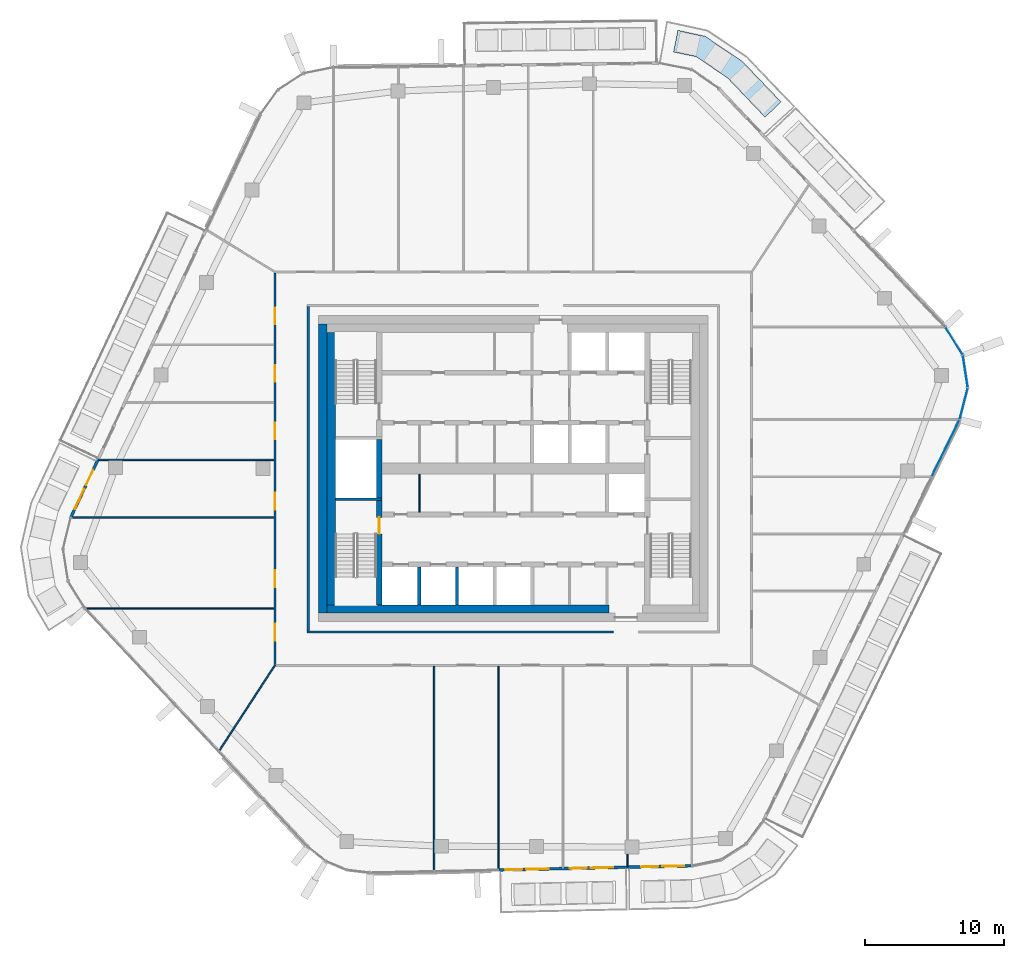
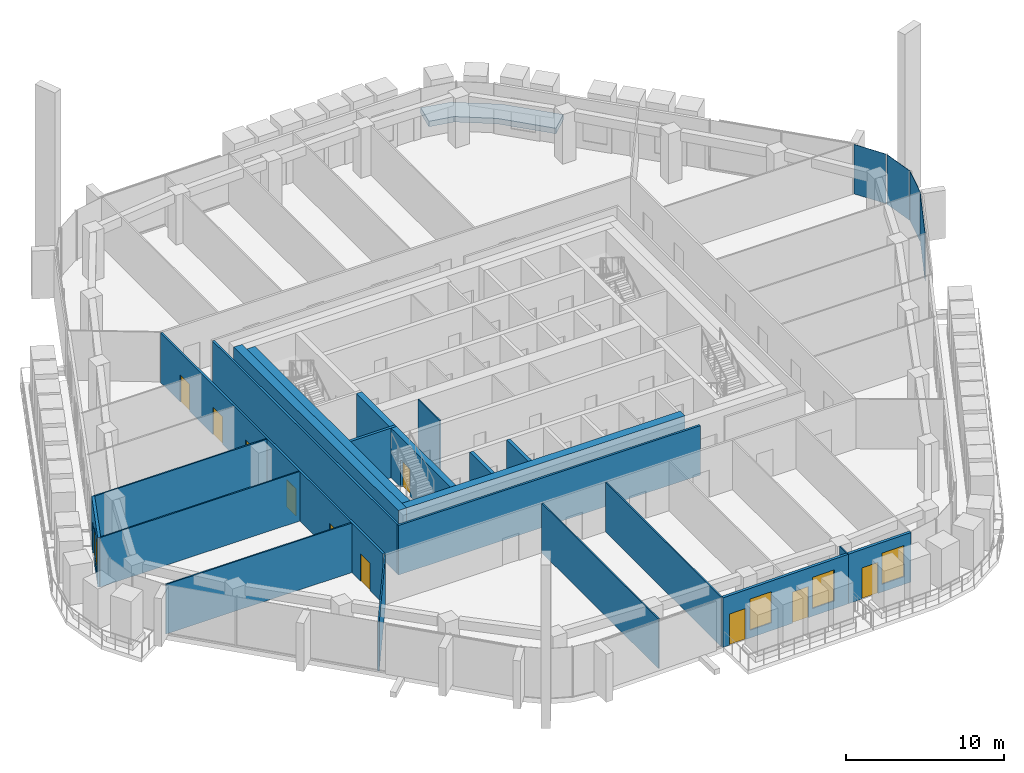
# One storey, part 12 of 24: 22 walls, 11 doors, 4 plates, 4 windows, 1 slab, 15 openings, 2 elements without a shape of their own.
"""IFC4 building model written with IfcOpenShell, lengths in metres."""

from ifc_helpers import new_model, si_unit, direction, frame, frame_2d, origin, origin_2d, place, context, subcontext, project, spatial, polyline, rectangle, outline, extrude, material, layer, layer_set, type_object, element, fill, aggregate, save


model = new_model("IFC4")

# Units and contexts
model_context = context("Model", 3, precision=1e-05, world=origin(), true_north=direction((0.0, 1.0)))
body_context = subcontext(model_context, "Body", "Model", "MODEL_VIEW")
ifc_project = project(units=[si_unit("LENGTHUNIT", "METRE"), si_unit("AREAUNIT", "SQUARE_METRE"), si_unit("VOLUMEUNIT", "CUBIC_METRE"), si_unit("PLANEANGLEUNIT", "RADIAN"), si_unit("MASSUNIT", "GRAM", prefix="KILO")], contexts=[model_context])

# Site, building, storey
site_placement = place(None, origin())
site = spatial("IfcSite", under=ifc_project, at=site_placement, CompositionType="ELEMENT")
building_placement = place(site_placement, origin())
building = spatial("IfcBuilding", under=site, at=building_placement, Name="Dongbaek Canopy Tower", CompositionType="ELEMENT")
storey_placement = place(building_placement, frame((0.0, 0.0, 332.0)))
storey = spatial("IfcBuildingStorey", under=building, at=storey_placement, Name="L71", CompositionType="ELEMENT", Elevation=332.0)

# Curtain wall, plates
ifc_material_1 = material(Name="Aluminium 6063-T6 pale anodised", Category="aluminium")
ifc_layer_1 = layer(ifc_material_1, 0.199951171875)
ifc_layer_set_1 = layer_set([ifc_layer_1], Name="CW-1 unitised tower curtain wall")
curtain_wall_type = type_object("IfcCurtainWallType", Name="CW-1 unitised tower curtain wall", PredefinedType="NOTDEFINED", material=ifc_layer_set_1)
curtain_wall_1_placement = place(storey_placement, origin())
curtain_wall_1 = element("IfcCurtainWall", 1, at=curtain_wall_1_placement, inside=storey, type_object=curtain_wall_type, Name="CW-1 curtain wall K0.1", PredefinedType="NOTDEFINED")
ifc_material_2 = material(Name="Clear laminated glass", Category="glass")
ifc_layer_2 = layer(ifc_material_2, 0.028076171875)
ifc_layer_set_2 = layer_set([ifc_layer_2], Name="CW-1 glazed panel 28")
plate_type = type_object("IfcPlateType", Name="CW-1 glazed panel 28", PredefinedType="CURTAIN_PANEL", material=ifc_layer_set_2)
plate_1_placement = place(storey_placement, frame((32.399169921875, 4.675048828125, 0.0), z_axis=(0.0, 0.0, 1.0), x_axis=(0.249737437294, 0.96831359198, 0.0)))
plate_1 = element("IfcPlate", 2, at=plate_1_placement, type_object=plate_type, Name="CW-1 panel K0.1.1.1", PredefinedType="CURTAIN_PANEL", context=body_context, shape_type="SweptSolid", body=[
    extrude(rectangle(XDim=2.298095703125, YDim=0.028076171875, at=origin_2d()), origin(), (0.0, 0.0, 1.0), 3.820068359375),
])
plate_2_placement = place(storey_placement, frame((32.5166015625, 7.00048828125, 0.0), z_axis=(0.0, 0.0, 1.0), x_axis=(-0.151904019597, 0.988395249296, 0.0)))
plate_2 = element("IfcPlate", 3, at=plate_2_placement, type_object=plate_type, Name="CW-1 panel K0.1.2.1", PredefinedType="CURTAIN_PANEL", context=body_context, shape_type="SweptSolid", body=[
    extrude(rectangle(XDim=2.287841796875, YDim=0.028076171875, at=origin_2d()), origin(), (0.0, 0.0, 1.0), 3.820068359375),
])
plate_3_placement = place(storey_placement, frame((31.706298828125, 9.18359375, 0.0), z_axis=(0.0, 0.0, 1.0), x_axis=(-0.528979690161, 0.848634483978, 0.0)))
plate_3 = element("IfcPlate", 4, at=plate_3_placement, type_object=plate_type, Name="CW-1 panel K0.1.3.1", PredefinedType="CURTAIN_PANEL", context=body_context, shape_type="SweptSolid", body=[
    extrude(rectangle(XDim=2.298095703125, YDim=0.028076171875, at=origin_2d()), origin(), (0.0, 0.0, 1.0), 3.820068359375),
])
aggregate(curtain_wall_1, [plate_1, plate_2, plate_3])

# Curtain wall, plate
curtain_wall_2_placement = place(storey_placement, origin())
curtain_wall_2 = element("IfcCurtainWall", 5, at=curtain_wall_2_placement, inside=storey, type_object=curtain_wall_type, Name="CW-1 curtain wall F5.1", PredefinedType="NOTDEFINED")
plate_4_placement = place(storey_placement, frame((31.09814453125, 1.469482421875, 0.1201171875), z_axis=(0.0, 0.0, 1.0), x_axis=(0.439337288093, 0.89832218457, 0.0)))
plate_4 = element("IfcPlate", 6, at=plate_4_placement, type_object=plate_type, Name="CW-1 panel F5.1.2.1", PredefinedType="CURTAIN_PANEL", context=body_context, shape_type="SweptSolid", body=[
    extrude(rectangle(XDim=4.485107421875, YDim=0.028076171875, at=origin_2d()), origin(), (0.0, 0.0, 1.0), 3.699951171875),
])
aggregate(curtain_wall_2, [plate_4])

# Slab
ifc_material_3 = material(Name="Reinforced concrete C40/50 planter box with soil", Category="concrete")
ifc_layer_3 = layer(ifc_material_3, 0.419921875)
ifc_layer_set_3 = layer_set([ifc_layer_3], Name="Terrace planter box 1600 x 420")
slab_type = type_object("IfcSlabType", Name="Terrace planter box 1600 x 420", PredefinedType="USERDEFINED", material=ifc_layer_set_3)
slab_placement = place(storey_placement, origin())
element("IfcSlab", 7, at=slab_placement, inside=storey, type_object=slab_type, Name="Balcony planter L71 6", ObjectType="PLANTER", PredefinedType="USERDEFINED", context=body_context, shape_type="SweptSolid", body=[
    extrude(outline(polyline([(18.107177734375, 25.281005859375), (15.435302734375, 28.086181640625), (13.182861328125, 29.626220703125), (11.53076171875, 29.968017578125), (11.837646484375, 31.538330078125), (13.804443359375, 31.1005859375), (16.4755859375, 29.3017578125), (19.26708984375, 26.383056640625), (18.107177734375, 25.281005859375)])), origin(), (0.0, 0.0, 1.0), 0.419921875),
])

# Walls
ifc_material_4 = material(Name="Concrete C80/95", Category="concrete")
ifc_layer_4 = layer(ifc_material_4, 0.60009765625)
ifc_layer_set_4 = layer_set([ifc_layer_4], Name="Core outer wall 600 Concrete C80/95")
wall_type_1 = type_object("IfcWallType", Name="Core outer wall 600 Concrete C80/95", PredefinedType="SHEAR", material=ifc_layer_set_4)
wall_1_placement = place(storey_placement, frame((-13.699951171875, -10.39990234375, 0.0), z_axis=(0.0, 0.0, 1.0), x_axis=(0.0, 1.0, 0.0)))
element("IfcWall", 8, at=wall_1_placement, inside=storey, type_object=wall_type_1, Name="Core wall", PredefinedType="SHEAR", context=body_context, shape_type="SweptSolid", body=[
    extrude(rectangle(XDim=20.7998046875, YDim=0.60009765625, at=frame_2d((10.39990234375, 0.0))), origin(), (0.0, 0.0, 1.0), 3.820068359375),
])
ifc_material_5 = material(Name="Concrete C60/75", Category="concrete")
ifc_layer_5 = layer(ifc_material_5, 0.60009765625)
ifc_layer_set_5 = layer_set([ifc_layer_5], Name="Core wall lining 600 Concrete C60/75")
wall_type_2 = type_object("IfcWallType", Name="Core wall lining 600 Concrete C60/75", PredefinedType="SHEAR", material=ifc_layer_set_5)
wall_2_placement = place(storey_placement, frame((6.89990234375, -10.10009765625, 0.0), z_axis=(0.0, 0.0, 1.0), x_axis=(-1.0, 0.0, 0.0)))
element("IfcWall", 9, at=wall_2_placement, inside=storey, type_object=wall_type_2, Name="Core wall lining", PredefinedType="SHEAR", context=body_context, shape_type="SweptSolid", body=[
    extrude(rectangle(XDim=20.2998046875, YDim=0.60009765625, at=frame_2d((10.14990234375, 0.0))), origin(), (0.0, 0.0, 1.0), 3.820068359375),
])
wall_3_placement = place(storey_placement, frame((-13.10009765625, -9.800048828125, 0.0), z_axis=(0.0, 0.0, 1.0), x_axis=(0.0, 1.0, 0.0)))
element("IfcWall", 10, at=wall_3_placement, inside=storey, type_object=wall_type_2, Name="Core wall lining", PredefinedType="SHEAR", context=body_context, shape_type="SweptSolid", body=[
    extrude(rectangle(XDim=19.60009765625, YDim=0.60009765625, at=frame_2d((9.800048828125, 0.0))), origin(), (0.0, 0.0, 1.0), 3.820068359375),
])
ifc_material_6 = material(Name="Gypsum board partition, steel stud, 2 x 15 mm fire board", Category="steel")
ifc_layer_6 = layer(ifc_material_6, 0.14990234375)
ifc_layer_set_6 = layer_set([ifc_layer_6], Name="Fire-rated partition 150 gypsum board")
wall_type_3 = type_object("IfcWallType", Name="Fire-rated partition 150 gypsum board", PredefinedType="PARTITIONING", material=ifc_layer_set_6)
wall_4_placement = place(storey_placement, frame((-14.824951171875, -11.75, 0.0), z_axis=(0.0, 0.0, 1.0), x_axis=(1.0, 0.0, 0.0)))
element("IfcWall", 11, at=wall_4_placement, inside=storey, type_object=wall_type_3, Name="Corridor partition", PredefinedType="PARTITIONING", context=body_context, shape_type="SweptSolid", body=[
    extrude(rectangle(XDim=22.02490234375, YDim=0.14990234375, at=frame_2d((11.012451171875, 0.0))), origin(), (0.0, 0.0, 1.0), 3.820068359375),
])
wall_5_placement = place(storey_placement, frame((-14.75, -11.675048828125, 0.0), z_axis=(0.0, 0.0, 1.0), x_axis=(0.0, 1.0, 0.0)))
element("IfcWall", 12, at=wall_5_placement, inside=storey, type_object=wall_type_3, Name="Corridor partition", PredefinedType="PARTITIONING", context=body_context, shape_type="SweptSolid", body=[
    extrude(rectangle(XDim=23.35009765625, YDim=0.14990234375, at=frame_2d((11.675048828125, 0.0))), origin(), (0.0, 0.0, 1.0), 3.820068359375),
])

# Wall, openings, doors
wall_6_placement = place(storey_placement, frame((-17.14990234375, -14.074951171875, 0.0), z_axis=(0.0, 0.0, 1.0), x_axis=(0.0, 1.0, 0.0)))
wall_6 = element("IfcWall", 13, at=wall_6_placement, inside=storey, type_object=wall_type_3, Name="Corridor partition", PredefinedType="PARTITIONING", context=body_context, shape_type="SweptSolid", body=[
    extrude(rectangle(XDim=28.14990234375, YDim=0.14990234375, at=frame_2d((14.074951171875, 0.0))), origin(), (0.0, 0.0, 1.0), 3.820068359375),
])
opening_1_placement = place(wall_6_placement, frame((11.12158203125, 0.0, 0.0)))
opening_1 = element("IfcOpeningElement", 14, at=opening_1_placement, cuts=wall_6, Name="Opening L71-D001", PredefinedType="OPENING", context=body_context, shape_type="SweptSolid", body=[
    extrude(rectangle(XDim=1.199951171875, YDim=2.10009765625, at=frame_2d((0.60009765625, 1.050048828125))), frame((0.0, 0.0849609375, 0.0), z_axis=(0.0, -1.0, 0.0), x_axis=(1.0, 0.0, 0.0)), (0.0, 0.0, 1.0), 0.169921875),
])
opening_2_placement = place(wall_6_placement, frame((5.5546875, 0.0, 0.0)))
opening_2 = element("IfcOpeningElement", 15, at=opening_2_placement, cuts=wall_6, Name="Opening L71-D002", PredefinedType="OPENING", context=body_context, shape_type="SweptSolid", body=[
    extrude(rectangle(XDim=1.199951171875, YDim=2.10009765625, at=frame_2d((0.60009765625, 1.050048828125))), frame((0.0, 0.0849609375, 0.0), z_axis=(0.0, -1.0, 0.0), x_axis=(1.0, 0.0, 0.0)), (0.0, 0.0, 1.0), 0.169921875),
])
opening_3_placement = place(wall_6_placement, frame((1.699951171875, 0.0, 0.0)))
opening_3 = element("IfcOpeningElement", 16, at=opening_3_placement, cuts=wall_6, Name="Opening L71-D003", PredefinedType="OPENING", context=body_context, shape_type="SweptSolid", body=[
    extrude(rectangle(XDim=1.199951171875, YDim=2.10009765625, at=frame_2d((0.60009765625, 1.050048828125))), frame((0.0, 0.0849609375, 0.0), z_axis=(0.0, -1.0, 0.0), x_axis=(1.0, 0.0, 0.0)), (0.0, 0.0, 1.0), 0.169921875),
])
opening_4_placement = place(wall_6_placement, frame((24.456787109375, 0.0, 0.0)))
opening_4 = element("IfcOpeningElement", 17, at=opening_4_placement, cuts=wall_6, Name="Opening L71-D022", PredefinedType="OPENING", context=body_context, shape_type="SweptSolid", body=[
    extrude(rectangle(XDim=1.199951171875, YDim=2.10009765625, at=frame_2d((0.60009765625, 1.050048828125))), frame((0.0, 0.0849609375, 0.0), z_axis=(0.0, -1.0, 0.0), x_axis=(1.0, 0.0, 0.0)), (0.0, 0.0, 1.0), 0.169921875),
])
opening_5_placement = place(wall_6_placement, frame((20.314208984375, 0.0, 0.0)))
opening_5 = element("IfcOpeningElement", 18, at=opening_5_placement, cuts=wall_6, Name="Opening L71-D023", PredefinedType="OPENING", context=body_context, shape_type="SweptSolid", body=[
    extrude(rectangle(XDim=1.199951171875, YDim=2.10009765625, at=frame_2d((0.60009765625, 1.050048828125))), frame((0.0, 0.0849609375, 0.0), z_axis=(0.0, -1.0, 0.0), x_axis=(1.0, 0.0, 0.0)), (0.0, 0.0, 1.0), 0.169921875),
])
opening_6_placement = place(wall_6_placement, frame((16.172119140625, 0.0, 0.0)))
opening_6 = element("IfcOpeningElement", 19, at=opening_6_placement, cuts=wall_6, Name="Opening L71-D024", PredefinedType="OPENING", context=body_context, shape_type="SweptSolid", body=[
    extrude(rectangle(XDim=1.199951171875, YDim=2.10009765625, at=frame_2d((0.60009765625, 1.050048828125))), frame((0.0, 0.0849609375, 0.0), z_axis=(0.0, -1.0, 0.0), x_axis=(1.0, 0.0, 0.0)), (0.0, 0.0, 1.0), 0.169921875),
])
ifc_material_7 = material(Name="Timber veneered door leaf", Category="wood")
door_type_1 = type_object("IfcDoorType", Name="Room door 1200 x 2100", OperationType="SINGLE_SWING_LEFT", PredefinedType="DOOR", material=ifc_material_7)
door_1_placement = place(opening_1_placement, origin())
door_1 = element("IfcDoor", 20, at=door_1_placement, inside=storey, type_object=door_type_1, Name="Door L71-D001", OperationType="SINGLE_SWING_RIGHT", OverallHeight=2.10009765625, OverallWidth=1.199951171875, PredefinedType="DOOR", context=body_context, shape_type="SweptSolid", body=[
    extrude(rectangle(XDim=1.199951171875, YDim=2.10009765625, at=frame_2d((0.60009765625, 1.050048828125))), frame((0.0, 0.02490234375, 0.0), z_axis=(0.0, -1.0, 0.0), x_axis=(1.0, 0.0, 0.0)), (0.0, 0.0, 1.0), 0.050048828125),
])
fill(opening_1, door_1)
door_2_placement = place(opening_2_placement, origin())
door_2 = element("IfcDoor", 21, at=door_2_placement, inside=storey, type_object=door_type_1, Name="Door L71-D002", OperationType="SINGLE_SWING_LEFT", OverallHeight=2.10009765625, OverallWidth=1.199951171875, PredefinedType="DOOR", context=body_context, shape_type="SweptSolid", body=[
    extrude(rectangle(XDim=1.199951171875, YDim=2.10009765625, at=frame_2d((0.60009765625, 1.050048828125))), frame((0.0, 0.02490234375, 0.0), z_axis=(0.0, -1.0, 0.0), x_axis=(1.0, 0.0, 0.0)), (0.0, 0.0, 1.0), 0.050048828125),
])
fill(opening_2, door_2)
door_3_placement = place(opening_3_placement, origin())
door_3 = element("IfcDoor", 22, at=door_3_placement, inside=storey, type_object=door_type_1, Name="Door L71-D003", OperationType="SINGLE_SWING_RIGHT", OverallHeight=2.10009765625, OverallWidth=1.199951171875, PredefinedType="DOOR", context=body_context, shape_type="SweptSolid", body=[
    extrude(rectangle(XDim=1.199951171875, YDim=2.10009765625, at=frame_2d((0.60009765625, 1.050048828125))), frame((0.0, 0.02490234375, 0.0), z_axis=(0.0, -1.0, 0.0), x_axis=(1.0, 0.0, 0.0)), (0.0, 0.0, 1.0), 0.050048828125),
])
fill(opening_3, door_3)
door_4_placement = place(opening_4_placement, origin())
door_4 = element("IfcDoor", 23, at=door_4_placement, inside=storey, type_object=door_type_1, Name="Door L71-D022", OperationType="SINGLE_SWING_LEFT", OverallHeight=2.10009765625, OverallWidth=1.199951171875, PredefinedType="DOOR", context=body_context, shape_type="SweptSolid", body=[
    extrude(rectangle(XDim=1.199951171875, YDim=2.10009765625, at=frame_2d((0.60009765625, 1.050048828125))), frame((0.0, 0.02490234375, 0.0), z_axis=(0.0, -1.0, 0.0), x_axis=(1.0, 0.0, 0.0)), (0.0, 0.0, 1.0), 0.050048828125),
])
fill(opening_4, door_4)
door_5_placement = place(opening_5_placement, origin())
door_5 = element("IfcDoor", 24, at=door_5_placement, inside=storey, type_object=door_type_1, Name="Door L71-D023", OperationType="SINGLE_SWING_RIGHT", OverallHeight=2.10009765625, OverallWidth=1.199951171875, PredefinedType="DOOR", context=body_context, shape_type="SweptSolid", body=[
    extrude(rectangle(XDim=1.199951171875, YDim=2.10009765625, at=frame_2d((0.60009765625, 1.050048828125))), frame((0.0, 0.02490234375, 0.0), z_axis=(0.0, -1.0, 0.0), x_axis=(1.0, 0.0, 0.0)), (0.0, 0.0, 1.0), 0.050048828125),
])
fill(opening_5, door_5)
door_6_placement = place(opening_6_placement, origin())
door_6 = element("IfcDoor", 25, at=door_6_placement, inside=storey, type_object=door_type_1, Name="Door L71-D024", OperationType="SINGLE_SWING_LEFT", OverallHeight=2.10009765625, OverallWidth=1.199951171875, PredefinedType="DOOR", context=body_context, shape_type="SweptSolid", body=[
    extrude(rectangle(XDim=1.199951171875, YDim=2.10009765625, at=frame_2d((0.60009765625, 1.050048828125))), frame((0.0, 0.02490234375, 0.0), z_axis=(0.0, -1.0, 0.0), x_axis=(1.0, 0.0, 0.0)), (0.0, 0.0, 1.0), 0.050048828125),
])
fill(opening_6, door_6)

# Walls
ifc_material_8 = material(Name="Concrete C40/50", Category="concrete")
ifc_layer_7 = layer(ifc_material_8, 0.25)
ifc_layer_set_7 = layer_set([ifc_layer_7], Name="Lift shaft wall 250 Concrete C40/50")
wall_type_4 = type_object("IfcWallType", Name="Lift shaft wall 250 Concrete C40/50", PredefinedType="SOLIDWALL", material=ifc_layer_set_7)
for number, where, z_axis, x_axis, name in (
    (26, (-4.050048828125, -9.800048828125, 0.0), (0.0, 0.0, 1.0), (0.0, 1.0, 0.0), "Lift shaft wall"),
    (27, (-6.75, -9.800048828125, 0.0), (0.0, 0.0, 1.0), (0.0, 1.0, 0.0), "Lift shaft wall"),
):
    element("IfcWall", number, at=place(storey_placement, frame(where, z_axis=z_axis, x_axis=x_axis)), inside=storey, type_object=wall_type_4, Name=name, PredefinedType="SOLIDWALL", context=body_context, shape_type="SweptSolid", body=[
        extrude(rectangle(XDim=2.72509765625, YDim=0.25, at=frame_2d((1.362548828125, 0.0))), origin(), (0.0, 0.0, 1.0), 3.820068359375),
    ])
ifc_material_9 = material(Name="Gypsum board partition, steel stud, 2 x 12.5 mm board", Category="steel")
ifc_layer_8 = layer(ifc_material_9, 0.10009765625)
ifc_layer_set_8 = layer_set([ifc_layer_8], Name="Partition 100 gypsum board")
wall_type_5 = type_object("IfcWallType", Name="Partition 100 gypsum board", PredefinedType="PARTITIONING", material=ifc_layer_set_8)
wall_7_placement = place(storey_placement, frame((-30.773193359375, -10.06396484375, 0.0), z_axis=(0.0, 0.0, 1.0), x_axis=(1.0, 0.0, 0.0)))
element("IfcWall", 28, at=wall_7_placement, inside=storey, type_object=wall_type_5, Name="Partition", PredefinedType="PARTITIONING", context=body_context, shape_type="SweptSolid", body=[
    extrude(rectangle(XDim=13.548095703125, YDim=0.10009765625, at=frame_2d((6.77392578125, 0.0))), origin(), (0.0, 0.0, 1.0), 3.820068359375),
])
wall_8_placement = place(storey_placement, frame((-31.810791015625, -3.507080078125, 0.0), z_axis=(0.0, 0.0, 1.0), x_axis=(1.0, 0.0, 0.0)))
element("IfcWall", 29, at=wall_8_placement, inside=storey, type_object=wall_type_5, Name="Partition", PredefinedType="PARTITIONING", context=body_context, shape_type="SweptSolid", body=[
    extrude(rectangle(XDim=14.585693359375, YDim=0.10009765625, at=frame_2d((7.29296875, 0.0))), origin(), (0.0, 0.0, 1.0), 3.820068359375),
])
wall_9_placement = place(storey_placement, frame((-29.867431640625, 0.6259765625, 0.0), z_axis=(0.0, 0.0, 1.0), x_axis=(1.0, 0.0, 0.0)))
element("IfcWall", 30, at=wall_9_placement, inside=storey, type_object=wall_type_5, Name="Partition", PredefinedType="PARTITIONING", context=body_context, shape_type="SweptSolid", body=[
    extrude(rectangle(XDim=12.642333984375, YDim=0.10009765625, at=frame_2d((6.3212890625, 0.0))), origin(), (0.0, 0.0, 1.0), 3.820068359375),
])
wall_10_placement = place(storey_placement, frame((-21.17578125, -20.328125, 0.0), z_axis=(0.0, 0.0, 1.0), x_axis=(0.5459597113, 0.837811430834, 0.0)))
element("IfcWall", 31, at=wall_10_placement, inside=storey, type_object=wall_type_5, Name="Partition", PredefinedType="PARTITIONING", context=body_context, shape_type="SweptSolid", body=[
    extrude(rectangle(XDim=7.3740234375, YDim=0.10009765625, at=frame_2d((3.68701171875, 0.0))), origin(), (0.0, 0.0, 1.0), 3.820068359375),
])
wall_11_placement = place(storey_placement, frame((8.214111328125, -28.651611328125, 0.0), z_axis=(0.0, 0.0, 1.0), x_axis=(0.0, 1.0, 0.0)))
element("IfcWall", 32, at=wall_11_placement, inside=storey, type_object=wall_type_5, Name="Partition", PredefinedType="PARTITIONING", context=body_context, shape_type="SweptSolid", body=[
    extrude(rectangle(XDim=0.924560546875, YDim=0.10009765625, at=frame_2d((0.46240234375, 0.0))), origin(), (0.0, 0.0, 1.0), 3.820068359375),
])
wall_12_placement = place(storey_placement, frame((-1.06103515625, -28.852783203125, 0.0), z_axis=(0.0, 0.0, 1.0), x_axis=(0.0, 1.0, 0.0)))
element("IfcWall", 33, at=wall_12_placement, inside=storey, type_object=wall_type_5, Name="Partition", PredefinedType="PARTITIONING", context=body_context, shape_type="SweptSolid", body=[
    extrude(rectangle(XDim=14.627685546875, YDim=0.10009765625, at=frame_2d((7.31396484375, 0.0))), origin(), (0.0, 0.0, 1.0), 3.820068359375),
])
wall_13_placement = place(storey_placement, frame((-5.698974609375, -28.953125, 0.0), z_axis=(0.0, 0.0, 1.0), x_axis=(0.0, 1.0, 0.0)))
element("IfcWall", 34, at=wall_13_placement, inside=storey, type_object=wall_type_5, Name="Partition", PredefinedType="PARTITIONING", context=body_context, shape_type="SweptSolid", body=[
    extrude(rectangle(XDim=14.72802734375, YDim=0.10009765625, at=frame_2d((7.364013671875, 0.0))), origin(), (0.0, 0.0, 1.0), 3.820068359375),
])
wall_14_placement = place(storey_placement, frame((-6.75, -3.125, 0.0), z_axis=(0.0, 0.0, 1.0), x_axis=(0.0, 1.0, 0.0)))
element("IfcWall", 35, at=wall_14_placement, inside=storey, type_object=wall_type_5, Name="Core partition", PredefinedType="PARTITIONING", context=body_context, shape_type="SweptSolid", body=[
    extrude(rectangle(XDim=2.72509765625, YDim=0.10009765625, at=frame_2d((1.362548828125, 0.0))), origin(), (0.0, 0.0, 1.0), 3.820068359375),
])
ifc_material_10 = material(Name="Concrete C60/75", Category="concrete")
ifc_layer_9 = layer(ifc_material_10, 0.199951171875)
ifc_layer_set_9 = layer_set([ifc_layer_9], Name="Riser wall 200 Concrete C60/75")
wall_type_6 = type_object("IfcWallType", Name="Riser wall 200 Concrete C60/75", PredefinedType="SHEAR", material=ifc_layer_set_9)
wall_15_placement = place(storey_placement, frame((-9.449951171875, -2.199951171875, 0.0), z_axis=(0.0, 0.0, 1.0), x_axis=(-1.0, 0.0, 0.0)))
element("IfcWall", 36, at=wall_15_placement, inside=storey, type_object=wall_type_6, Name="Riser wall", PredefinedType="SHEAR", context=body_context, shape_type="SweptSolid", body=[
    extrude(rectangle(XDim=3.35009765625, YDim=0.199951171875, at=frame_2d((1.675048828125, 0.0))), origin(), (0.0, 0.0, 1.0), 3.820068359375),
])

# Wall, opening, door
ifc_material_11 = material(Name="Concrete C60/75", Category="concrete")
ifc_layer_10 = layer(ifc_material_11, 0.39990234375)
ifc_layer_set_10 = layer_set([ifc_layer_10], Name="Stair wall 400 Concrete C60/75")
wall_type_7 = type_object("IfcWallType", Name="Stair wall 400 Concrete C60/75", PredefinedType="SHEAR", material=ifc_layer_set_10)
wall_16_placement = place(storey_placement, frame((-9.64990234375, -9.800048828125, 0.0), z_axis=(0.0, 0.0, 1.0), x_axis=(0.0, 1.0, 0.0)))
wall_16 = element("IfcWall", 37, at=wall_16_placement, inside=storey, type_object=wall_type_7, Name="Stair wall", PredefinedType="SHEAR", context=body_context, shape_type="SweptSolid", body=[
    extrude(rectangle(XDim=7.5, YDim=0.39990234375, at=frame_2d((3.75, 0.0))), origin(), (0.0, 0.0, 1.0), 3.820068359375),
])
opening_7_placement = place(wall_16_placement, frame((5.10009765625, 0.0, 0.0)))
opening_7 = element("IfcOpeningElement", 38, at=opening_7_placement, cuts=wall_16, Name="Opening L71-D055", PredefinedType="OPENING", context=body_context, shape_type="SweptSolid", body=[
    extrude(rectangle(XDim=1.199951171875, YDim=2.10009765625, at=frame_2d((0.60009765625, 1.050048828125))), frame((0.0, 0.2099609375, 0.0), z_axis=(0.0, -1.0, 0.0), x_axis=(1.0, 0.0, 0.0)), (0.0, 0.0, 1.0), 0.419921875),
])
ifc_material_12 = material(Name="Steel", Category="steel")
door_type_2 = type_object("IfcDoorType", Name="Stair door 1200 x 2100", OperationType="SINGLE_SWING_LEFT", PredefinedType="DOOR", material=ifc_material_12)
door_7_placement = place(opening_7_placement, origin())
door_7 = element("IfcDoor", 39, at=door_7_placement, inside=storey, type_object=door_type_2, Name="Stair D door", OperationType="SINGLE_SWING_LEFT", OverallHeight=2.10009765625, OverallWidth=1.199951171875, PredefinedType="DOOR", context=body_context, shape_type="SweptSolid", body=[
    extrude(rectangle(XDim=1.199951171875, YDim=2.10009765625, at=frame_2d((0.60009765625, 1.050048828125))), frame((0.0, 0.02490234375, 0.0), z_axis=(0.0, -1.0, 0.0), x_axis=(1.0, 0.0, 0.0)), (0.0, 0.0, 1.0), 0.050048828125),
])
fill(opening_7, door_7)

# Wall
wall_17_placement = place(storey_placement, frame((-9.64990234375, -2.10009765625, 0.0), z_axis=(0.0, 0.0, 1.0), x_axis=(0.0, 1.0, 0.0)))
element("IfcWall", 40, at=wall_17_placement, inside=storey, type_object=wall_type_7, Name="Stair wall", PredefinedType="SHEAR", context=body_context, shape_type="SweptSolid", body=[
    extrude(rectangle(XDim=4.2001953125, YDim=0.39990234375, at=frame_2d((2.10009765625, 0.0))), origin(), (0.0, 0.0, 1.0), 3.820068359375),
])

# Wall, openings, door, window
ifc_material_13 = material(Name="Aluminium window wall", Category="aluminium")
ifc_layer_11 = layer(ifc_material_13, 0.199951171875)
ifc_layer_set_11 = layer_set([ifc_layer_11], Name="Window wall 200")
wall_type_8 = type_object("IfcWallType", Name="Window wall 200", PredefinedType="SOLIDWALL", material=ifc_layer_set_11)
wall_18_placement = place(storey_placement, frame((-29.889404296875, 0.625732421875, 0.0), z_axis=(0.0, 0.0, 1.0), x_axis=(-0.425531877643, -0.904943435309, 0.0)))
wall_18 = element("IfcWall", 41, at=wall_18_placement, inside=storey, type_object=wall_type_8, Name="Window wall L71 7", PredefinedType="SOLIDWALL", context=body_context, shape_type="SweptSolid", body=[
    extrude(rectangle(XDim=4.5673828125, YDim=0.199951171875, at=frame_2d((2.28369140625, 0.0))), origin(), (0.0, 0.0, 1.0), 3.820068359375),
])
opening_8_placement = place(wall_18_placement, frame((2.300048828125, 0.0, 0.60009765625)))
opening_8 = element("IfcOpeningElement", 42, at=opening_8_placement, cuts=wall_18, Name="Opening W1", PredefinedType="OPENING", context=body_context, shape_type="SweptSolid", body=[
    extrude(rectangle(XDim=1.60009765625, YDim=2.39990234375, at=frame_2d((0.800048828125, 1.199951171875))), frame((0.0, 0.10986328125, 0.0), z_axis=(0.0, -1.0, 0.0), x_axis=(1.0, 0.0, 0.0)), (0.0, 0.0, 1.0), 0.219970703125),
])
opening_9_placement = place(wall_18_placement, frame((0.800048828125, 0.0, 0.0)))
opening_9 = element("IfcOpeningElement", 43, at=opening_9_placement, cuts=wall_18, Name="Opening L71-B11", PredefinedType="OPENING", context=body_context, shape_type="SweptSolid", body=[
    extrude(rectangle(XDim=1.199951171875, YDim=2.39990234375, at=frame_2d((0.60009765625, 1.199951171875))), frame((0.0, 0.10986328125, 0.0), z_axis=(0.0, -1.0, 0.0), x_axis=(1.0, 0.0, 0.0)), (0.0, 0.0, 1.0), 0.219970703125),
])
ifc_material_14 = material(Name="Clear glazing in aluminium frame", Category="aluminium")
door_type_3 = type_object("IfcDoorType", Name="Balcony door BD1 1200 x 2400", OperationType="SLIDING_TO_LEFT", PredefinedType="DOOR", material=ifc_material_14)
door_8_placement = place(opening_9_placement, origin())
door_8 = element("IfcDoor", 44, at=door_8_placement, inside=storey, type_object=door_type_3, Name="Balcony door L71-B11", OperationType="SLIDING_TO_LEFT", OverallHeight=2.39990234375, OverallWidth=1.199951171875, PredefinedType="DOOR", context=body_context, shape_type="SweptSolid", body=[
    extrude(rectangle(XDim=1.199951171875, YDim=2.39990234375, at=frame_2d((0.60009765625, 1.199951171875))), frame((0.0, 0.02490234375, 0.0), z_axis=(0.0, -1.0, 0.0), x_axis=(1.0, 0.0, 0.0)), (0.0, 0.0, 1.0), 0.050048828125),
])
fill(opening_9, door_8)
ifc_material_15 = material(Name="Clear glazing in aluminium frame", Category="aluminium")
window_type = type_object("IfcWindowType", Name="Window W1 1600 x 2400", PartitioningType="SINGLE_PANEL", PredefinedType="WINDOW", material=ifc_material_15)
window_1_placement = place(opening_8_placement, origin())
window_1 = element("IfcWindow", 45, at=window_1_placement, inside=storey, type_object=window_type, Name="Window L71 7.1", OverallHeight=2.39990234375, OverallWidth=1.60009765625, PartitioningType="SINGLE_PANEL", PredefinedType="WINDOW", context=body_context, shape_type="SweptSolid", body=[
    extrude(rectangle(XDim=1.60009765625, YDim=2.39990234375, at=frame_2d((0.800048828125, 1.199951171875))), frame((0.0, 0.030029296875, 0.0), z_axis=(0.0, -1.0, 0.0), x_axis=(1.0, 0.0, 0.0)), (0.0, 0.0, 1.0), 0.06005859375),
])
fill(opening_8, window_1)

# Wall, openings, doors, windows
wall_19_placement = place(storey_placement, frame((-1.06103515625, -28.872802734375, 0.0), z_axis=(0.0, 0.0, 1.0), x_axis=(0.999764856684, 0.02168481816, 0.0)))
wall_19 = element("IfcWall", 46, at=wall_19_placement, inside=storey, type_object=wall_type_8, Name="Window wall L71 4", PredefinedType="SOLIDWALL", context=body_context, shape_type="SweptSolid", body=[
    extrude(rectangle(XDim=9.277099609375, YDim=0.199951171875, at=frame_2d((4.638671875, 0.0))), origin(), (0.0, 0.0, 1.0), 3.820068359375),
])
opening_10_placement = place(wall_19_placement, frame((2.0, 0.0, 0.60009765625)))
opening_10 = element("IfcOpeningElement", 47, at=opening_10_placement, cuts=wall_19, Name="Opening W1", PredefinedType="OPENING", context=body_context, shape_type="SweptSolid", body=[
    extrude(rectangle(XDim=1.60009765625, YDim=2.39990234375, at=frame_2d((0.800048828125, 1.199951171875))), frame((0.0, 0.10986328125, 0.0), z_axis=(0.0, -1.0, 0.0), x_axis=(1.0, 0.0, 0.0)), (0.0, 0.0, 1.0), 0.219970703125),
])
opening_11_placement = place(wall_19_placement, frame((0.5, 0.0, 0.0)))
opening_11 = element("IfcOpeningElement", 48, at=opening_11_placement, cuts=wall_19, Name="Opening L71-B12", PredefinedType="OPENING", context=body_context, shape_type="SweptSolid", body=[
    extrude(rectangle(XDim=1.199951171875, YDim=2.39990234375, at=frame_2d((0.60009765625, 1.199951171875))), frame((0.0, 0.10986328125, 0.0), z_axis=(0.0, -1.0, 0.0), x_axis=(1.0, 0.0, 0.0)), (0.0, 0.0, 1.0), 0.219970703125),
])
opening_12_placement = place(wall_19_placement, frame((6.638427734375, 0.0, 0.60009765625)))
opening_12 = element("IfcOpeningElement", 49, at=opening_12_placement, cuts=wall_19, Name="Opening W1", PredefinedType="OPENING", context=body_context, shape_type="SweptSolid", body=[
    extrude(rectangle(XDim=1.60009765625, YDim=2.39990234375, at=frame_2d((0.800048828125, 1.199951171875))), frame((0.0, 0.10986328125, 0.0), z_axis=(0.0, -1.0, 0.0), x_axis=(1.0, 0.0, 0.0)), (0.0, 0.0, 1.0), 0.219970703125),
])
opening_13_placement = place(wall_19_placement, frame((5.138427734375, 0.0, 0.0)))
opening_13 = element("IfcOpeningElement", 50, at=opening_13_placement, cuts=wall_19, Name="Opening L71-B13", PredefinedType="OPENING", context=body_context, shape_type="SweptSolid", body=[
    extrude(rectangle(XDim=1.199951171875, YDim=2.39990234375, at=frame_2d((0.60009765625, 1.199951171875))), frame((0.0, 0.10986328125, 0.0), z_axis=(0.0, -1.0, 0.0), x_axis=(1.0, 0.0, 0.0)), (0.0, 0.0, 1.0), 0.219970703125),
])
door_9_placement = place(opening_11_placement, origin())
door_9 = element("IfcDoor", 51, at=door_9_placement, inside=storey, type_object=door_type_3, Name="Balcony door L71-B12", OperationType="SLIDING_TO_LEFT", OverallHeight=2.39990234375, OverallWidth=1.199951171875, PredefinedType="DOOR", context=body_context, shape_type="SweptSolid", body=[
    extrude(rectangle(XDim=1.199951171875, YDim=2.39990234375, at=frame_2d((0.60009765625, 1.199951171875))), frame((0.0, 0.02490234375, 0.0), z_axis=(0.0, -1.0, 0.0), x_axis=(1.0, 0.0, 0.0)), (0.0, 0.0, 1.0), 0.050048828125),
])
fill(opening_11, door_9)
door_10_placement = place(opening_13_placement, origin())
door_10 = element("IfcDoor", 52, at=door_10_placement, inside=storey, type_object=door_type_3, Name="Balcony door L71-B13", OperationType="SLIDING_TO_LEFT", OverallHeight=2.39990234375, OverallWidth=1.199951171875, PredefinedType="DOOR", context=body_context, shape_type="SweptSolid", body=[
    extrude(rectangle(XDim=1.199951171875, YDim=2.39990234375, at=frame_2d((0.60009765625, 1.199951171875))), frame((0.0, 0.02490234375, 0.0), z_axis=(0.0, -1.0, 0.0), x_axis=(1.0, 0.0, 0.0)), (0.0, 0.0, 1.0), 0.050048828125),
])
fill(opening_13, door_10)
window_2_placement = place(opening_10_placement, origin())
window_2 = element("IfcWindow", 53, at=window_2_placement, inside=storey, type_object=window_type, Name="Window L71 4.1", OverallHeight=2.39990234375, OverallWidth=1.60009765625, PartitioningType="SINGLE_PANEL", PredefinedType="WINDOW", context=body_context, shape_type="SweptSolid", body=[
    extrude(rectangle(XDim=1.60009765625, YDim=2.39990234375, at=frame_2d((0.800048828125, 1.199951171875))), frame((0.0, 0.030029296875, 0.0), z_axis=(0.0, -1.0, 0.0), x_axis=(1.0, 0.0, 0.0)), (0.0, 0.0, 1.0), 0.06005859375),
])
fill(opening_10, window_2)
window_3_placement = place(opening_12_placement, origin())
window_3 = element("IfcWindow", 54, at=window_3_placement, inside=storey, type_object=window_type, Name="Window L71 4.2", OverallHeight=2.39990234375, OverallWidth=1.60009765625, PartitioningType="SINGLE_PANEL", PredefinedType="WINDOW", context=body_context, shape_type="SweptSolid", body=[
    extrude(rectangle(XDim=1.60009765625, YDim=2.39990234375, at=frame_2d((0.800048828125, 1.199951171875))), frame((0.0, 0.030029296875, 0.0), z_axis=(0.0, -1.0, 0.0), x_axis=(1.0, 0.0, 0.0)), (0.0, 0.0, 1.0), 0.06005859375),
])
fill(opening_12, window_3)

# Wall, openings, door, window
wall_20_placement = place(storey_placement, frame((8.2138671875, -28.671630859375, 0.0), z_axis=(0.0, 0.0, 1.0), x_axis=(0.999765057624, 0.021675551969, 0.0)))
wall_20 = element("IfcWall", 55, at=wall_20_placement, inside=storey, type_object=wall_type_8, Name="Window wall L71 8", PredefinedType="SOLIDWALL", context=body_context, shape_type="SweptSolid", body=[
    extrude(rectangle(XDim=4.629150390625, YDim=0.199951171875, at=frame_2d((2.314453125, 0.0))), origin(), (0.0, 0.0, 1.0), 3.820068359375),
])
opening_14_placement = place(wall_20_placement, frame((2.5, 0.0, 0.60009765625)))
opening_14 = element("IfcOpeningElement", 56, at=opening_14_placement, cuts=wall_20, Name="Opening W1", PredefinedType="OPENING", context=body_context, shape_type="SweptSolid", body=[
    extrude(rectangle(XDim=1.60009765625, YDim=2.39990234375, at=frame_2d((0.800048828125, 1.199951171875))), frame((0.0, 0.10986328125, 0.0), z_axis=(0.0, -1.0, 0.0), x_axis=(1.0, 0.0, 0.0)), (0.0, 0.0, 1.0), 0.219970703125),
])
opening_15_placement = place(wall_20_placement, frame((1.0, 0.0, 0.0)))
opening_15 = element("IfcOpeningElement", 57, at=opening_15_placement, cuts=wall_20, Name="Opening L71-B14", PredefinedType="OPENING", context=body_context, shape_type="SweptSolid", body=[
    extrude(rectangle(XDim=1.199951171875, YDim=2.39990234375, at=frame_2d((0.60009765625, 1.199951171875))), frame((0.0, 0.10986328125, 0.0), z_axis=(0.0, -1.0, 0.0), x_axis=(1.0, 0.0, 0.0)), (0.0, 0.0, 1.0), 0.219970703125),
])
door_11_placement = place(opening_15_placement, origin())
door_11 = element("IfcDoor", 58, at=door_11_placement, inside=storey, type_object=door_type_3, Name="Balcony door L71-B14", OperationType="SLIDING_TO_LEFT", OverallHeight=2.39990234375, OverallWidth=1.199951171875, PredefinedType="DOOR", context=body_context, shape_type="SweptSolid", body=[
    extrude(rectangle(XDim=1.199951171875, YDim=2.39990234375, at=frame_2d((0.60009765625, 1.199951171875))), frame((0.0, 0.02490234375, 0.0), z_axis=(0.0, -1.0, 0.0), x_axis=(1.0, 0.0, 0.0)), (0.0, 0.0, 1.0), 0.050048828125),
])
fill(opening_15, door_11)
window_4_placement = place(opening_14_placement, origin())
window_4 = element("IfcWindow", 59, at=window_4_placement, inside=storey, type_object=window_type, Name="Window L71 8.1", OverallHeight=2.39990234375, OverallWidth=1.60009765625, PartitioningType="SINGLE_PANEL", PredefinedType="WINDOW", context=body_context, shape_type="SweptSolid", body=[
    extrude(rectangle(XDim=1.60009765625, YDim=2.39990234375, at=frame_2d((0.800048828125, 1.199951171875))), frame((0.0, 0.030029296875, 0.0), z_axis=(0.0, -1.0, 0.0), x_axis=(1.0, 0.0, 0.0)), (0.0, 0.0, 1.0), 0.06005859375),
])
fill(opening_14, window_4)

save(model, "model.ifc")
